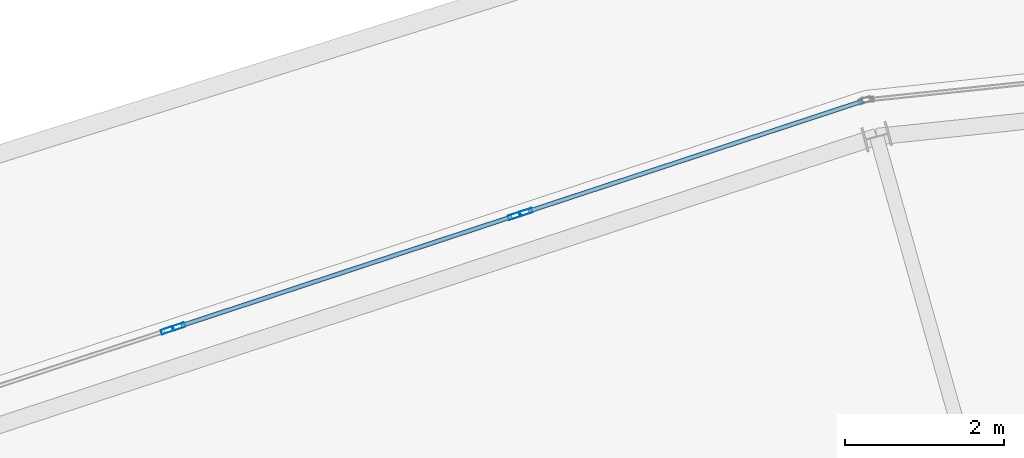
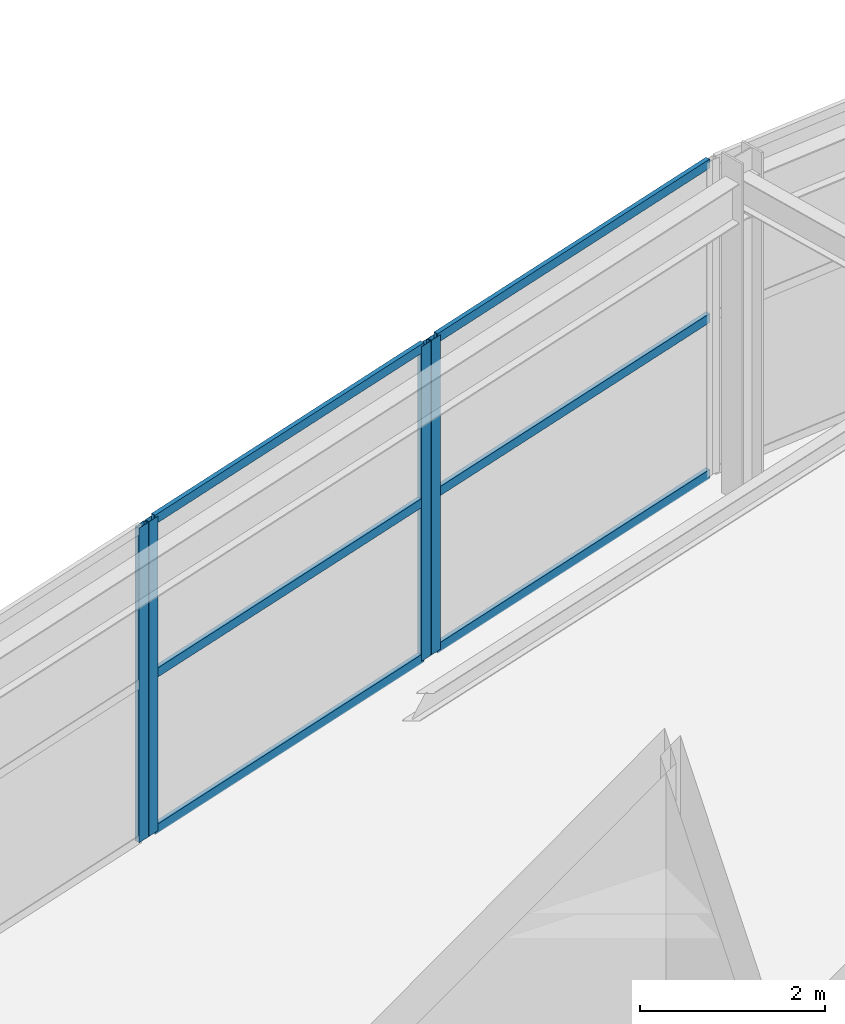
# One storey, part 67 of 126: 10 members, 3 elements without a shape of their own.
"""IFC4 building model written with IfcOpenShell, lengths in metres."""

from ifc_helpers import new_model, si_unit, direction, frame, origin, origin_2d, place, context, subcontext, project, spatial, hollow_rectangle, extrude, material, layer, layer_set, material_profile, profile_set, type_object, element, aggregate, save


model = new_model("IFC4")

# Units and contexts
model_context = context("Model", 3, precision=1e-05, world=origin(), true_north=direction((0.0, 1.0)))
body_context = subcontext(model_context, "Body", "Model", "MODEL_VIEW")
ifc_project = project(units=[si_unit("LENGTHUNIT", "METRE"), si_unit("AREAUNIT", "SQUARE_METRE"), si_unit("VOLUMEUNIT", "CUBIC_METRE"), si_unit("PLANEANGLEUNIT", "RADIAN"), si_unit("MASSUNIT", "GRAM", prefix="KILO")], contexts=[model_context])

# Site, building, storey
site_placement = place(None, origin())
site = spatial("IfcSite", under=ifc_project, at=site_placement, CompositionType="ELEMENT")
building_placement = place(site_placement, origin())
building = spatial("IfcBuilding", under=site, at=building_placement, Name="Kalgoora Escarpment Arena", CompositionType="ELEMENT")
storey_placement = place(building_placement, frame((0.0, 0.0, 18.89990234375)))
storey = spatial("IfcBuildingStorey", under=building, at=storey_placement, Name="L04", CompositionType="ELEMENT", Elevation=18.89990234375)

# Curtain wall, member
ifc_material_1 = material(Name=" Champagne anodised aluminium & double-glazed low-E", Category="aluminium")
ifc_layer_1 = layer(ifc_material_1, 0.154052734375)
ifc_layer_set_1 = layer_set([ifc_layer_1], Name="CW-UNIT-16")
curtain_wall_type_1 = type_object("IfcCurtainWallType", Name="CW-UNIT-16", PredefinedType="NOTDEFINED", material=ifc_layer_set_1)
curtain_wall_1_placement = place(storey_placement, origin())
curtain_wall_1 = element("IfcCurtainWall", 1, at=curtain_wall_1_placement, inside=storey, type_object=curtain_wall_type_1, Name="L04 unitised facade curtain wall 155", PredefinedType="NOTDEFINED")
ifc_material_2 = material(Name="Anodised aluminium 6063-T6", Category="aluminium")
ifc_material_profile_1 = material_profile(ifc_material_2, hollow_rectangle(XDim=0.06005859375, YDim=0.14990234375, WallThickness=0.00341796875, at=origin_2d()))
ifc_profile_set_1 = profile_set([ifc_material_profile_1], Name="Anodised aluminium 6063-T6")
member_type_1 = type_object("IfcMemberType", Name="MEM-CW-MULL-150", PredefinedType="MULLION", material=ifc_profile_set_1)
member_1_placement = place(storey_placement, frame((64.892333984375, 116.62109375, 0.02001953125), z_axis=(0.0, 0.0, 1.0), x_axis=(-0.312989939956, 0.94975644114, 0.0)))
member_1 = element("IfcMember", 2, at=member_1_placement, type_object=member_type_1, Name="CW-16 mullion 2", PredefinedType="MULLION", context=body_context, shape_type="SweptSolid", body=[
    extrude(hollow_rectangle(XDim=0.06005859375, YDim=0.14990234375, WallThickness=0.00341796875, at=origin_2d()), origin(), (0.0, 0.0, 1.0), 4.16015625),
])
aggregate(curtain_wall_1, [member_1])

# Curtain wall, members
ifc_material_3 = material(Name=" Champagne anodised aluminium & double-glazed low-E", Category="aluminium")
ifc_layer_2 = layer(ifc_material_3, 0.157958984375)
ifc_layer_set_2 = layer_set([ifc_layer_2], Name="CW-UNIT-17")
curtain_wall_type_2 = type_object("IfcCurtainWallType", Name="CW-UNIT-17", PredefinedType="NOTDEFINED", material=ifc_layer_set_2)
curtain_wall_2_placement = place(storey_placement, origin())
curtain_wall_2 = element("IfcCurtainWall", 3, at=curtain_wall_2_placement, inside=storey, type_object=curtain_wall_type_2, Name="L04 unitised facade curtain wall 156", PredefinedType="NOTDEFINED")
member_2_placement = place(storey_placement, frame((65.044189453125, 116.67138671875, 0.02001953125), z_axis=(0.0, 0.0, 1.0), x_axis=(-0.312969878028, 0.949763052265, 0.0)))
member_2 = element("IfcMember", 4, at=member_2_placement, type_object=member_type_1, Name="CW-17 mullion 1", PredefinedType="MULLION", context=body_context, shape_type="SweptSolid", body=[
    extrude(hollow_rectangle(XDim=0.06005859375, YDim=0.14990234375, WallThickness=0.00341796875, at=origin_2d()), origin(), (0.0, 0.0, 1.0), 4.16015625),
])
member_3_placement = place(storey_placement, frame((69.2578125, 118.059814453125, 0.02001953125), z_axis=(0.0, 0.0, 1.0), x_axis=(-0.312969878028, 0.949763052265, 0.0)))
member_3 = element("IfcMember", 5, at=member_3_placement, type_object=member_type_1, Name="CW-17 mullion 2", PredefinedType="MULLION", context=body_context, shape_type="SweptSolid", body=[
    extrude(hollow_rectangle(XDim=0.06005859375, YDim=0.14990234375, WallThickness=0.00341796875, at=origin_2d()), origin(), (0.0, 0.0, 1.0), 4.16015625),
])

# Curtain wall, member
ifc_material_4 = material(Name=" Champagne anodised aluminium & double-glazed low-E", Category="aluminium")
ifc_layer_3 = layer(ifc_material_4, 0.162109375)
ifc_layer_set_3 = layer_set([ifc_layer_3], Name="CW-UNIT-18")
curtain_wall_type_3 = type_object("IfcCurtainWallType", Name="CW-UNIT-18", PredefinedType="NOTDEFINED", material=ifc_layer_set_3)
curtain_wall_3_placement = place(storey_placement, origin())
curtain_wall_3 = element("IfcCurtainWall", 6, at=curtain_wall_3_placement, inside=storey, type_object=curtain_wall_type_3, Name="L04 unitised facade curtain wall 157", PredefinedType="NOTDEFINED")
member_4_placement = place(storey_placement, frame((69.40966796875, 118.10986328125, 0.02001953125), z_axis=(0.0, 0.0, 1.0), x_axis=(-0.312979322933, 0.949759939888, 0.0)))
member_4 = element("IfcMember", 7, at=member_4_placement, type_object=member_type_1, Name="CW-18 mullion 1", PredefinedType="MULLION", context=body_context, shape_type="SweptSolid", body=[
    extrude(hollow_rectangle(XDim=0.06005859375, YDim=0.14990234375, WallThickness=0.00341796875, at=origin_2d()), origin(), (0.0, 0.0, 1.0), 4.16015625),
])

# Member
ifc_material_5 = material(Name="Anodised aluminium 6063-T6", Category="aluminium")
ifc_material_profile_2 = material_profile(ifc_material_5, hollow_rectangle(XDim=0.054931640625, YDim=0.1201171875, WallThickness=0.003173828125, at=origin_2d()))
ifc_profile_set_2 = profile_set([ifc_material_profile_2], Name="Anodised aluminium 6063-T6")
member_type_2 = type_object("IfcMemberType", Name="MEM-CW-TRAN-120", PredefinedType="USERDEFINED", material=ifc_profile_set_2)
member_5_placement = place(storey_placement, frame((65.07275390625, 116.6806640625, 0.047607421875), z_axis=(0.949765521885, 0.312962383423, 0.0), x_axis=(-0.312962383423, 0.949765521885, 0.0)))
member_5 = element("IfcMember", 8, at=member_5_placement, type_object=member_type_2, Name="CW-17 transom 1.1", ObjectType="TRANSOM", PredefinedType="USERDEFINED", context=body_context, shape_type="SweptSolid", body=[
    extrude(hollow_rectangle(XDim=0.054931640625, YDim=0.1201171875, WallThickness=0.003173828125, at=origin_2d()), origin(), (0.0, 0.0, 1.0), 4.376220703125),
])

member_6_placement = place(storey_placement, frame((65.07275390625, 116.6806640625, 2.110107421875), z_axis=(0.949765521885, 0.312962383423, 0.0), x_axis=(-0.312962383423, 0.949765521885, 0.0)))
member_6 = element("IfcMember", 9, at=member_6_placement, type_object=member_type_2, Name="CW-17 transom 1.2", ObjectType="TRANSOM", PredefinedType="USERDEFINED", context=body_context, shape_type="SweptSolid", body=[
    extrude(hollow_rectangle(XDim=0.054931640625, YDim=0.1201171875, WallThickness=0.003173828125, at=origin_2d()), origin(), (0.0, 0.0, 1.0), 4.376220703125),
])

member_7_placement = place(storey_placement, frame((65.07275390625, 116.6806640625, 4.152587890625), z_axis=(0.949765521885, 0.312962383423, 0.0), x_axis=(-0.312962383423, 0.949765521885, 0.0)))
member_7 = element("IfcMember", 10, at=member_7_placement, type_object=member_type_2, Name="CW-17 transom 1.3", ObjectType="TRANSOM", PredefinedType="USERDEFINED", context=body_context, shape_type="SweptSolid", body=[
    extrude(hollow_rectangle(XDim=0.054931640625, YDim=0.1201171875, WallThickness=0.003173828125, at=origin_2d()), origin(), (0.0, 0.0, 1.0), 4.376220703125),
])

aggregate(curtain_wall_2, [member_2, member_3, member_5, member_6, member_7])

member_8_placement = place(storey_placement, frame((69.438232421875, 118.119140625, 0.047607421875), z_axis=(0.949747912107, 0.313015819804, 0.0), x_axis=(-0.313015819804, 0.949747912107, 0.0)))
member_8 = element("IfcMember", 11, at=member_8_placement, type_object=member_type_2, Name="CW-18 transom 1.1", ObjectType="TRANSOM", PredefinedType="USERDEFINED", context=body_context, shape_type="SweptSolid", body=[
    extrude(hollow_rectangle(XDim=0.054931640625, YDim=0.1201171875, WallThickness=0.003173828125, at=origin_2d()), origin(), (0.0, 0.0, 1.0), 4.42626953125),
])

member_9_placement = place(storey_placement, frame((69.438232421875, 118.119140625, 2.110107421875), z_axis=(0.949747912107, 0.313015819804, 0.0), x_axis=(-0.313015819804, 0.949747912107, 0.0)))
member_9 = element("IfcMember", 12, at=member_9_placement, type_object=member_type_2, Name="CW-18 transom 1.2", ObjectType="TRANSOM", PredefinedType="USERDEFINED", context=body_context, shape_type="SweptSolid", body=[
    extrude(hollow_rectangle(XDim=0.054931640625, YDim=0.1201171875, WallThickness=0.003173828125, at=origin_2d()), origin(), (0.0, 0.0, 1.0), 4.42626953125),
])

member_10_placement = place(storey_placement, frame((69.438232421875, 118.119140625, 4.152587890625), z_axis=(0.949747912107, 0.313015819804, 0.0), x_axis=(-0.313015819804, 0.949747912107, 0.0)))
member_10 = element("IfcMember", 13, at=member_10_placement, type_object=member_type_2, Name="CW-18 transom 1.3", ObjectType="TRANSOM", PredefinedType="USERDEFINED", context=body_context, shape_type="SweptSolid", body=[
    extrude(hollow_rectangle(XDim=0.054931640625, YDim=0.1201171875, WallThickness=0.003173828125, at=origin_2d()), origin(), (0.0, 0.0, 1.0), 4.42626953125),
])

aggregate(curtain_wall_3, [member_4, member_8, member_9, member_10])

save(model, "model.ifc")
